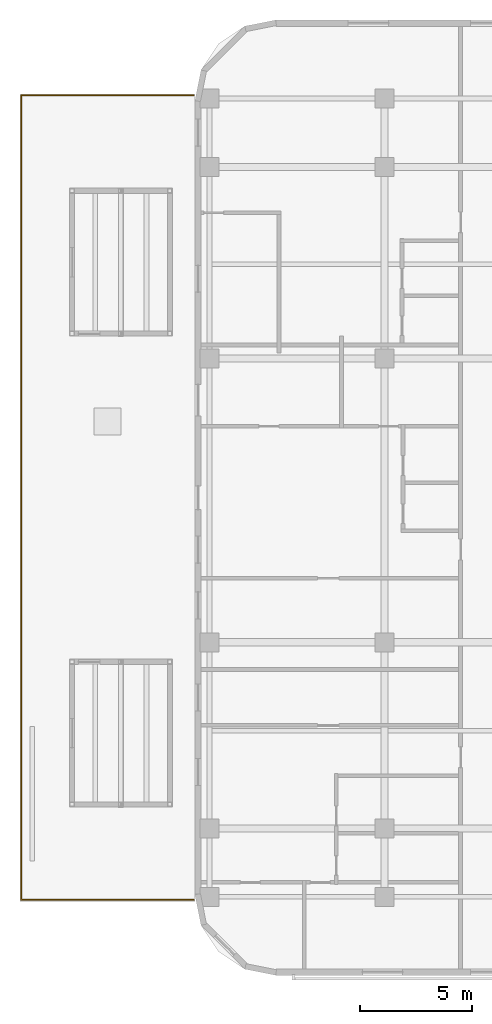
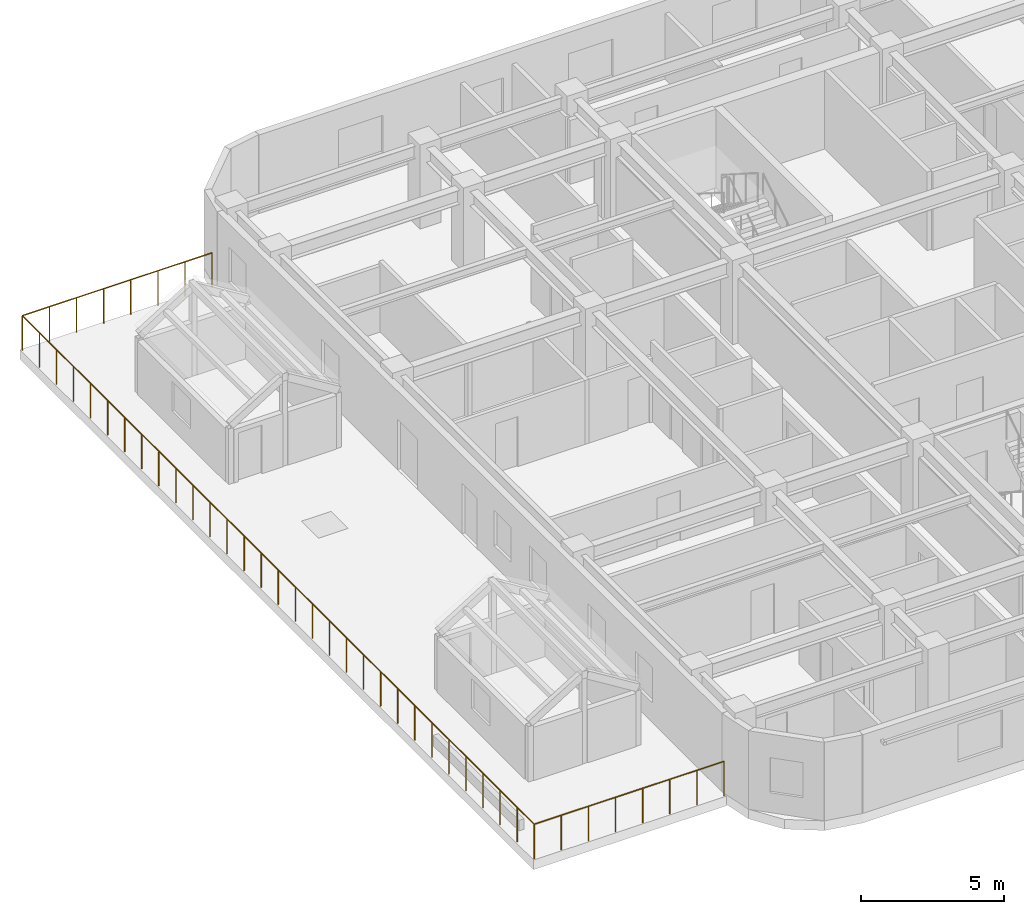
# One storey, part 16 of 19: 1 railing.
"""IFC4 building model written with IfcOpenShell, lengths in metres."""

from ifc_helpers import new_model, si_unit, direction, frame, origin, origin_2d, place, context, subcontext, project, spatial, circle, extrude, material, type_object, element, save


model = new_model("IFC4")

# Units and contexts
model_context = context("Model", 3, precision=1e-05, world=origin(), true_north=direction((0.0, 1.0)))
body_context = subcontext(model_context, "Body", "Model", "MODEL_VIEW")
ifc_project = project(units=[si_unit("LENGTHUNIT", "METRE"), si_unit("AREAUNIT", "SQUARE_METRE"), si_unit("VOLUMEUNIT", "CUBIC_METRE"), si_unit("PLANEANGLEUNIT", "RADIAN"), si_unit("MASSUNIT", "GRAM", prefix="KILO")], contexts=[model_context])

# Site, building, storey
site_placement = place(None, origin())
site = spatial("IfcSite", under=ifc_project, at=site_placement, CompositionType="ELEMENT")
building_placement = place(site_placement, origin())
building = spatial("IfcBuilding", under=site, at=building_placement, Name="Ochreholt Gables", CompositionType="ELEMENT")
storey_placement = place(building_placement, frame((0.0, 0.0, 76.800048828125)))
storey = spatial("IfcBuildingStorey", under=building, at=storey_placement, Name="L19", CompositionType="ELEMENT", Elevation=76.800048828125)

# Railing
ifc_material = material(Name="High-Wind Laminated Glass and Steel Guardrail", Category="steel")
railing_type = type_object("IfcRailingType", Name="RL-TER-1500", PredefinedType="GUARDRAIL", material=ifc_material)
railing_placement = place(storey_placement, frame((9.73974609375, 41.93994140625, 0.0)))
element("IfcRailing", 1, at=railing_placement, inside=storey, type_object=railing_type, Name="L19 Terrace Perimeter Guardrail TR-L19-W", PredefinedType="GUARDRAIL", context=body_context, shape_type="SweptSolid", body=[
    extrude(circle(Radius=0.02392578125, at=origin_2d()), frame((0.0, 0.0, 1.47607421875), z_axis=(-1.0, 0.0, 0.0), x_axis=(0.0, -1.0, 0.0)), (0.0, 0.0, 1.0), 7.6796875),
    extrude(circle(Radius=0.02392578125, at=origin_2d()), frame((-7.6796875, 0.0, 1.47607421875), z_axis=(0.0, -1.0, 0.0), x_axis=(1.0, 0.0, 0.0)), (0.0, 0.0, 1.0), 35.8798828125),
    extrude(circle(Radius=0.02392578125, at=origin_2d()), frame((-7.6796875, -35.8798828125, 1.47607421875), z_axis=(1.0, 0.0, 0.0), x_axis=(0.0, 1.0, 0.0)), (0.0, 0.0, 1.0), 7.6796875),
    extrude(circle(Radius=0.02099609375, at=origin_2d()), origin(), (0.0, 0.0, 1.0), 1.451904296875),
    extrude(circle(Radius=0.02099609375, at=origin_2d()), frame((-1.09716796875, 0.0, 0.0)), (0.0, 0.0, 1.0), 1.451904296875),
    extrude(circle(Radius=0.02099609375, at=origin_2d()), frame((-2.194091796875, 0.0, 0.0)), (0.0, 0.0, 1.0), 1.451904296875),
    extrude(circle(Radius=0.02099609375, at=origin_2d()), frame((-3.291259765625, 0.0, 0.0)), (0.0, 0.0, 1.0), 1.451904296875),
    extrude(circle(Radius=0.02099609375, at=origin_2d()), frame((-4.388427734375, 0.0, 0.0)), (0.0, 0.0, 1.0), 1.451904296875),
    extrude(circle(Radius=0.02099609375, at=origin_2d()), frame((-5.485595703125, 0.0, 0.0)), (0.0, 0.0, 1.0), 1.451904296875),
    extrude(circle(Radius=0.02099609375, at=origin_2d()), frame((-6.58251953125, 0.0, 0.0)), (0.0, 0.0, 1.0), 1.451904296875),
    extrude(circle(Radius=0.02099609375, at=origin_2d()), frame((-7.6796875, 0.0, 0.0)), (0.0, 0.0, 1.0), 1.451904296875),
    extrude(circle(Radius=0.02099609375, at=origin_2d()), frame((-7.6796875, -1.196044921875, 0.0)), (0.0, 0.0, 1.0), 1.451904296875),
    extrude(circle(Radius=0.02099609375, at=origin_2d()), frame((-7.6796875, -2.39208984375, 0.0)), (0.0, 0.0, 1.0), 1.451904296875),
    extrude(circle(Radius=0.02099609375, at=origin_2d()), frame((-7.6796875, -3.587890625, 0.0)), (0.0, 0.0, 1.0), 1.451904296875),
    extrude(circle(Radius=0.02099609375, at=origin_2d()), frame((-7.6796875, -4.783935546875, 0.0)), (0.0, 0.0, 1.0), 1.451904296875),
    extrude(circle(Radius=0.02099609375, at=origin_2d()), frame((-7.6796875, -5.97998046875, 0.0)), (0.0, 0.0, 1.0), 1.451904296875),
    extrude(circle(Radius=0.02099609375, at=origin_2d()), frame((-7.6796875, -7.176025390625, 0.0)), (0.0, 0.0, 1.0), 1.451904296875),
    extrude(circle(Radius=0.02099609375, at=origin_2d()), frame((-7.6796875, -8.3720703125, 0.0)), (0.0, 0.0, 1.0), 1.451904296875),
    extrude(circle(Radius=0.02099609375, at=origin_2d()), frame((-7.6796875, -9.56787109375, 0.0)), (0.0, 0.0, 1.0), 1.451904296875),
    extrude(circle(Radius=0.02099609375, at=origin_2d()), frame((-7.6796875, -10.763916015625, 0.0)), (0.0, 0.0, 1.0), 1.451904296875),
    extrude(circle(Radius=0.02099609375, at=origin_2d()), frame((-7.6796875, -11.9599609375, 0.0)), (0.0, 0.0, 1.0), 1.451904296875),
    extrude(circle(Radius=0.02099609375, at=origin_2d()), frame((-7.6796875, -13.156005859375, 0.0)), (0.0, 0.0, 1.0), 1.451904296875),
    extrude(circle(Radius=0.02099609375, at=origin_2d()), frame((-7.6796875, -14.35205078125, 0.0)), (0.0, 0.0, 1.0), 1.451904296875),
    extrude(circle(Radius=0.02099609375, at=origin_2d()), frame((-7.6796875, -15.5478515625, 0.0)), (0.0, 0.0, 1.0), 1.451904296875),
    extrude(circle(Radius=0.02099609375, at=origin_2d()), frame((-7.6796875, -16.743896484375, 0.0)), (0.0, 0.0, 1.0), 1.451904296875),
    extrude(circle(Radius=0.02099609375, at=origin_2d()), frame((-7.6796875, -17.93994140625, 0.0)), (0.0, 0.0, 1.0), 1.451904296875),
    extrude(circle(Radius=0.02099609375, at=origin_2d()), frame((-7.6796875, -19.135986328125, 0.0)), (0.0, 0.0, 1.0), 1.451904296875),
    extrude(circle(Radius=0.02099609375, at=origin_2d()), frame((-7.6796875, -20.33203125, 0.0)), (0.0, 0.0, 1.0), 1.451904296875),
    extrude(circle(Radius=0.02099609375, at=origin_2d()), frame((-7.6796875, -21.52783203125, 0.0)), (0.0, 0.0, 1.0), 1.451904296875),
    extrude(circle(Radius=0.02099609375, at=origin_2d()), frame((-7.6796875, -22.723876953125, 0.0)), (0.0, 0.0, 1.0), 1.451904296875),
    extrude(circle(Radius=0.02099609375, at=origin_2d()), frame((-7.6796875, -23.919921875, 0.0)), (0.0, 0.0, 1.0), 1.451904296875),
    extrude(circle(Radius=0.02099609375, at=origin_2d()), frame((-7.6796875, -25.115966796875, 0.0)), (0.0, 0.0, 1.0), 1.451904296875),
    extrude(circle(Radius=0.02099609375, at=origin_2d()), frame((-7.6796875, -26.31201171875, 0.0)), (0.0, 0.0, 1.0), 1.451904296875),
    extrude(circle(Radius=0.02099609375, at=origin_2d()), frame((-7.6796875, -27.5078125, 0.0)), (0.0, 0.0, 1.0), 1.451904296875),
    extrude(circle(Radius=0.02099609375, at=origin_2d()), frame((-7.6796875, -28.703857421875, 0.0)), (0.0, 0.0, 1.0), 1.451904296875),
    extrude(circle(Radius=0.02099609375, at=origin_2d()), frame((-7.6796875, -29.89990234375, 0.0)), (0.0, 0.0, 1.0), 1.451904296875),
    extrude(circle(Radius=0.02099609375, at=origin_2d()), frame((-7.6796875, -31.095947265625, 0.0)), (0.0, 0.0, 1.0), 1.451904296875),
    extrude(circle(Radius=0.02099609375, at=origin_2d()), frame((-7.6796875, -32.2919921875, 0.0)), (0.0, 0.0, 1.0), 1.451904296875),
    extrude(circle(Radius=0.02099609375, at=origin_2d()), frame((-7.6796875, -33.48779296875, 0.0)), (0.0, 0.0, 1.0), 1.451904296875),
    extrude(circle(Radius=0.02099609375, at=origin_2d()), frame((-7.6796875, -34.683837890625, 0.0)), (0.0, 0.0, 1.0), 1.451904296875),
    extrude(circle(Radius=0.02099609375, at=origin_2d()), frame((-7.6796875, -35.8798828125, 0.0)), (0.0, 0.0, 1.0), 1.451904296875),
    extrude(circle(Radius=0.02099609375, at=origin_2d()), frame((-6.58251953125, -35.8798828125, 0.0)), (0.0, 0.0, 1.0), 1.451904296875),
    extrude(circle(Radius=0.02099609375, at=origin_2d()), frame((-5.485595703125, -35.8798828125, 0.0)), (0.0, 0.0, 1.0), 1.451904296875),
    extrude(circle(Radius=0.02099609375, at=origin_2d()), frame((-4.388427734375, -35.8798828125, 0.0)), (0.0, 0.0, 1.0), 1.451904296875),
    extrude(circle(Radius=0.02099609375, at=origin_2d()), frame((-3.291259765625, -35.8798828125, 0.0)), (0.0, 0.0, 1.0), 1.451904296875),
    extrude(circle(Radius=0.02099609375, at=origin_2d()), frame((-2.194091796875, -35.8798828125, 0.0)), (0.0, 0.0, 1.0), 1.451904296875),
    extrude(circle(Radius=0.02099609375, at=origin_2d()), frame((-1.09716796875, -35.8798828125, 0.0)), (0.0, 0.0, 1.0), 1.451904296875),
    extrude(circle(Radius=0.02099609375, at=origin_2d()), frame((0.0, -35.8798828125, 0.0)), (0.0, 0.0, 1.0), 1.451904296875),
])

save(model, "model.ifc")
